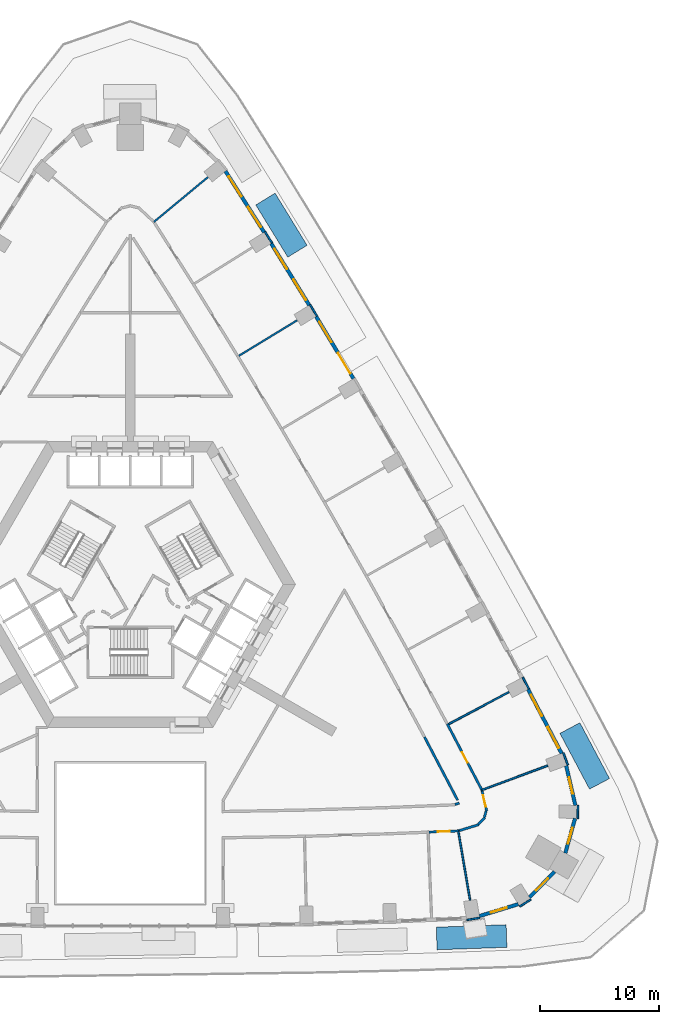
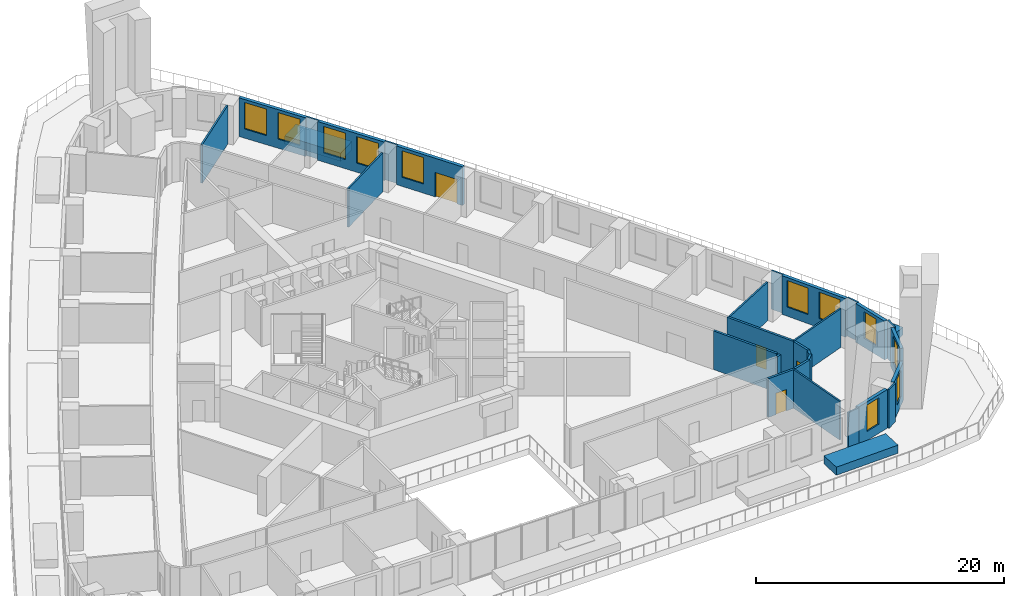
# One storey, part 11 of 16: 31 walls, 11 windows, 4 doors, 15 openings.
"""IFC4 building model written with IfcOpenShell, lengths in metres."""

import ifcopenshell
import ifcopenshell.guid

model = None  # the IFC model being written
_history = None  # IfcOwnerHistory: only IFC2X3 demands one
_inside = {}  # id of a spatial element -> (the spatial element, [elements in it])
_under = {}  # id of a project, library or spatial element -> (it, [spatial elements below it])
_declared = {}  # id of a project -> (the project, [libraries it declares])
_typed = {}  # id of a type object -> (the type object, [elements of that type])
_made_of = {}  # id of a material, layer set ... -> (it, [elements and type objects made of it])


def new_model(schema):
    """Start an empty IFC model of exactly this schema.

    Asked for "IFC4X3", IfcOpenShell would pick the latest addendum, in which some entities
    have other attributes; the version numbers below select the first issue.
    IFC2X3 requires an IfcOwnerHistory on every rooted entity: one is made here for all.
    """
    global model, _history
    if schema == "IFC4X3":
        model = ifcopenshell.file(schema_version=(4, 3, 0, 0))
    else:
        model = ifcopenshell.file(schema=schema)
    _inside.clear()
    _under.clear()
    _declared.clear()
    _typed.clear()
    _made_of.clear()
    _history = None
    if model.schema == "IFC2X3":
        org = make("IfcOrganization", Name="unknown")
        user = make(
            "IfcPersonAndOrganization",
            ThePerson=make("IfcPerson", FamilyName="unknown"),
            TheOrganization=org,
        )
        app = make(
            "IfcApplication",
            ApplicationDeveloper=org,
            Version="unknown",
            ApplicationFullName="unknown",
            ApplicationIdentifier="unknown",
        )
        _history = make(
            "IfcOwnerHistory",
            OwningUser=user,
            OwningApplication=app,
            ChangeAction="ADDED",
            CreationDate=0,
        )
    return model


def make(cls, **values):
    """One entity of the class cls with the attributes given. An attribute that is None is left unset."""
    return model.create_entity(
        cls, **{name: value for name, value in values.items() if value is not None}
    )


def rooted(cls, **values):
    """An entity with a GlobalId (a new one), such as an element, a storey or a relation."""
    return make(cls, GlobalId=ifcopenshell.guid.new(), OwnerHistory=_history, **values)


def si_unit(unit_type, name, prefix=None):
    """IfcSIUnit, for example si_unit("LENGTHUNIT", "METRE", prefix="MILLI")."""
    return make("IfcSIUnit", UnitType=unit_type, Prefix=prefix, Name=name)


def assignment(units):
    """IfcUnitAssignment: the units of a project."""
    return None if units is None else make("IfcUnitAssignment", Units=units)


def point(xyz):
    """IfcCartesianPoint."""
    return None if xyz is None else make("IfcCartesianPoint", Coordinates=xyz)


def direction(xyz):
    """IfcDirection."""
    return None if xyz is None else make("IfcDirection", DirectionRatios=xyz)


def frame(location, z_axis=None, x_axis=None):
    """IfcAxis2Placement3D, a coordinate frame: its origin and axes. An axis left out is left unset."""
    return make(
        "IfcAxis2Placement3D",
        Location=point(location),
        Axis=direction(z_axis),
        RefDirection=direction(x_axis),
    )


def frame_2d(location, x_axis=None):
    """IfcAxis2Placement2D, a coordinate frame in the plane: its origin and x axis."""
    return make(
        "IfcAxis2Placement2D", Location=point(location), RefDirection=direction(x_axis)
    )


def origin():
    """The frame at (0, 0, 0) with its axes left unset."""
    return frame((0.0, 0.0, 0.0))


def place(relative_to, where):
    """IfcLocalPlacement: puts the frame where relative to a parent placement (None: the world)."""
    return make(
        "IfcLocalPlacement", PlacementRelTo=relative_to, RelativePlacement=where
    )


def context(
    kind, dimensions, precision=None, world=None, true_north=None, identifier=None
):
    """IfcGeometricRepresentationContext, for example the 3D "Model" context."""
    return make(
        "IfcGeometricRepresentationContext",
        ContextIdentifier=identifier,
        ContextType=kind,
        CoordinateSpaceDimension=dimensions,
        Precision=precision,
        WorldCoordinateSystem=world,
        TrueNorth=true_north,
    )


def subcontext(parent, identifier, kind, view, scale=None):
    """IfcGeometricRepresentationSubContext, for example "Body" below "Model"."""
    return make(
        "IfcGeometricRepresentationSubContext",
        ContextIdentifier=identifier,
        ContextType=kind,
        ParentContext=parent,
        TargetScale=scale,
        TargetView=view,
    )


def project(units=None, contexts=None):
    """IfcProject with its units and contexts."""
    return rooted(
        "IfcProject",
        Name="project",
        RepresentationContexts=contexts,
        UnitsInContext=assignment(units),
    )


def spatial(cls, under=None, at=None, **own):
    """A site, building, storey or space (cls), placed at a placement, below another one or the project."""
    s = rooted(cls, ObjectPlacement=at, **own)
    if under is not None:
        _under.setdefault(under.id(), (under, []))[1].append(s)
    return s


def profile(cls, at=None, kind="AREA", **sizes):
    """A parametric profile (cls). Its sizes go by their IFC names, for example OverallWidth=200.0."""
    return make(cls, ProfileType=kind, Position=at, **sizes)


def rectangle(**sizes):
    """IfcRectangleProfileDef."""
    return profile("IfcRectangleProfileDef", **sizes)


def extrude(swept, where, along, depth):
    """IfcExtrudedAreaSolid: the profile swept, set in the frame where, extruded along a direction by depth."""
    return make(
        "IfcExtrudedAreaSolid",
        SweptArea=swept,
        Position=where,
        ExtrudedDirection=direction(along),
        Depth=depth,
    )


def shape(context_of_items, identifier, shape_type, items):
    """IfcShapeRepresentation: the items that make up one representation, for example the "Body"."""
    return make(
        "IfcShapeRepresentation",
        ContextOfItems=context_of_items,
        RepresentationIdentifier=identifier,
        RepresentationType=shape_type,
        Items=items,
    )


def material(Name=None, Category=None):
    """IfcMaterial."""
    return make("IfcMaterial", Name=Name, Category=Category)


def layer(
    of_material, thickness, ventilated=None, Name=None, Category=None, Priority=None
):
    """IfcMaterialLayer: one layer of a wall or slab, of a material (None: an air gap)."""
    return make(
        "IfcMaterialLayer",
        Material=of_material,
        LayerThickness=thickness,
        IsVentilated=ventilated,
        Name=Name,
        Category=Category,
        Priority=Priority,
    )


def layer_set(layers, Name=None):
    """IfcMaterialLayerSet."""
    return make("IfcMaterialLayerSet", MaterialLayers=layers, LayerSetName=Name)


def made_of(thing, what):
    """Note that an element or type object is made of a material, layer set ...; save() writes the relation."""
    if what is not None:
        _made_of.setdefault(what.id(), (what, []))[1].append(thing)
    return thing


def type_object(cls, material=None, **own):
    """A type object (cls), such as IfcWallType, which elements share."""
    return made_of(rooted(cls, **own), material)


def element(
    cls,
    number,
    at=None,
    inside=None,
    cuts=None,
    type_object=None,
    material=None,
    context=None,
    identifier="Body",
    shape_type=None,
    held_by="IfcProductDefinitionShape",
    body=None,
    shapes=None,
    **own,
):
    """One element of the class cls, such as IfcWall. Its Tag is "e" and its number.

    at: its placement. inside: the storey or other place that contains it. cuts: it is an
    opening in that element (IfcRelVoidsElement). A single representation is given by context,
    identifier, shape_type and body (its items); several are given by shapes. held_by: the class
    of the entity that holds the representations. save() writes the other relations.
    """
    e = rooted(cls, Tag="e%d" % number, ObjectPlacement=at, **own)
    if body is not None:
        shapes = [shape(context, identifier, shape_type, body)]
    if shapes is not None:
        e.Representation = make(held_by, Representations=shapes)
    if inside is not None:
        _inside.setdefault(inside.id(), (inside, []))[1].append(e)
    if cuts is not None:
        rooted(
            "IfcRelVoidsElement", RelatingBuildingElement=cuts, RelatedOpeningElement=e
        )
    if type_object is not None:
        _typed.setdefault(type_object.id(), (type_object, []))[1].append(e)
    return made_of(e, material)


def fill(opening, filler):
    """IfcRelFillsElement: the door or window that sits in an opening."""
    return rooted(
        "IfcRelFillsElement",
        RelatingOpeningElement=opening,
        RelatedBuildingElement=filler,
    )


def aggregate(whole, parts):
    """IfcRelAggregates: a whole, such as a stair, and the parts it consists of."""
    return rooted("IfcRelAggregates", RelatingObject=whole, RelatedObjects=parts)


def save(model, path):
    """Write the relations noted so far, then the file.

    IfcRelAggregates (storeys below a building ...), IfcRelContainedInSpatialStructure (elements
    in a storey), IfcRelDefinesByType, IfcRelAssociatesMaterial and IfcRelDeclares: one each for
    every whole, place, type object, material and project.
    """
    for whole, parts in _under.values():
        aggregate(whole, parts)
    for where, things in _inside.values():
        rooted(
            "IfcRelContainedInSpatialStructure",
            RelatedElements=things,
            RelatingStructure=where,
        )
    for kind, things in _typed.values():
        rooted("IfcRelDefinesByType", RelatedObjects=things, RelatingType=kind)
    for what, things in _made_of.values():
        rooted("IfcRelAssociatesMaterial", RelatedObjects=things, RelatingMaterial=what)
    for by, libraries in _declared.values():
        rooted("IfcRelDeclares", RelatingContext=by, RelatedDefinitions=libraries)
    model.write(path)


model = new_model("IFC4")

# Units and contexts
model_context = context("Model", 3, precision=1e-05, world=origin(), true_north=direction((0.0, 1.0)))
body_context = subcontext(model_context, "Body", "Model", "MODEL_VIEW")
ifc_project = project(units=[si_unit("LENGTHUNIT", "METRE"), si_unit("AREAUNIT", "SQUARE_METRE"), si_unit("VOLUMEUNIT", "CUBIC_METRE"), si_unit("PLANEANGLEUNIT", "RADIAN"), si_unit("MASSUNIT", "GRAM", prefix="KILO")], contexts=[model_context])

# Site, building, storey
site_placement = place(None, origin())
site = spatial("IfcSite", under=ifc_project, at=site_placement, CompositionType="ELEMENT")
building_placement = place(site_placement, origin())
building = spatial("IfcBuilding", under=site, at=building_placement, Name="Entoto Arch Interchange Tower", CompositionType="ELEMENT")
storey_placement = place(building_placement, frame((0.0, 0.0, 86.60009765625)))
storey = spatial("IfcBuildingStorey", under=building, at=storey_placement, Name="L18", CompositionType="ELEMENT", Elevation=86.60009765625)

# Walls
ifc_material_1 = material(Name="Gypsum board partition on steel studs", Category="steel")
ifc_layer_1 = layer(ifc_material_1, 0.14990234375)
ifc_layer_set_1 = layer_set([ifc_layer_1], Name="Gypsum board partition on steel studs")
wall_type_1 = type_object("IfcWallType", Name="PARTITION 150", PredefinedType="PARTITIONING", material=ifc_layer_set_1)
wall_1_placement = place(storey_placement, frame((27.49609375, -18.073974609375, 0.0), z_axis=(0.0, 0.0, 1.0), x_axis=(0.168025125373, -0.985782712997, 0.0)))
element("IfcWall", 1, at=wall_1_placement, inside=storey, type_object=wall_type_1, Name="wall:L18:p113", PredefinedType="PARTITIONING", context=body_context, shape_type="SweptSolid", body=[
    extrude(rectangle(XDim=5.9921875, YDim=0.14990234375, at=frame_2d((2.99609375, 0.0))), origin(), (0.0, 0.0, 1.0), 3.7998046875),
])
wall_2_placement = place(storey_placement, frame((29.493896484375, -14.740966796875, 0.0), z_axis=(0.0, 0.0, 1.0), x_axis=(0.937719767819, 0.347392626636, 0.0)))
element("IfcWall", 2, at=wall_2_placement, inside=storey, type_object=wall_type_1, Name="wall:L18:p114", PredefinedType="PARTITIONING", context=body_context, shape_type="SweptSolid", body=[
    extrude(rectangle(XDim=5.89208984375, YDim=0.14990234375, at=frame_2d((2.946044921875, 0.0))), origin(), (0.0, 0.0, 1.0), 3.7998046875),
])
wall_3_placement = place(storey_placement, frame((26.708984375, -9.2109375, 0.0), z_axis=(0.0, 0.0, 1.0), x_axis=(0.883057238515, 0.46926529118, 0.0)))
element("IfcWall", 3, at=wall_3_placement, inside=storey, type_object=wall_type_1, Name="wall:L18:p115", PredefinedType="PARTITIONING", context=body_context, shape_type="SweptSolid", body=[
    extrude(rectangle(XDim=5.730224609375, YDim=0.14990234375, at=frame_2d((2.865234375, 0.0))), origin(), (0.0, 0.0, 1.0), 3.7998046875),
])
wall_4_placement = place(storey_placement, frame((9.113037109375, 21.68408203125, 0.0), z_axis=(0.0, 0.0, 1.0), x_axis=(0.854075097122, 0.520149717367, 0.0)))
element("IfcWall", 4, at=wall_4_placement, inside=storey, type_object=wall_type_1, Name="wall:L18:p120", PredefinedType="PARTITIONING", context=body_context, shape_type="SweptSolid", body=[
    extrude(rectangle(XDim=5.72900390625, YDim=0.14990234375, at=frame_2d((2.864501953125, 0.0))), origin(), (0.0, 0.0, 1.0), 3.7998046875),
])
wall_5_placement = place(storey_placement, frame((1.98193359375, 32.9130859375, 0.0), z_axis=(0.0, 0.0, 1.0), x_axis=(0.769679976891, 0.638429896835, 0.0)))
element("IfcWall", 5, at=wall_5_placement, inside=storey, type_object=wall_type_1, Name="wall:L18:p122", PredefinedType="PARTITIONING", context=body_context, shape_type="SweptSolid", body=[
    extrude(rectangle(XDim=5.89111328125, YDim=0.14990234375, at=frame_2d((2.945556640625, 0.0))), origin(), (0.0, 0.0, 1.0), 3.7998046875),
])
ifc_layer_2 = layer(ifc_material_1, 0.199951171875)
ifc_layer_set_2 = layer_set([ifc_layer_2], Name="Gypsum board partition on steel studs")
wall_type_2 = type_object("IfcWallType", Name="PARTITION 200", PredefinedType="PARTITIONING", material=ifc_layer_set_2)
wall_6_placement = place(storey_placement, frame((27.235107421875, -15.95703125, 0.0), z_axis=(0.0, 0.0, 1.0), x_axis=(0.956017741345, 0.293308844453, 0.0)))
element("IfcWall", 6, at=wall_6_placement, inside=storey, type_object=wall_type_2, Name="wall:L18:p015", PredefinedType="PARTITIONING", context=body_context, shape_type="SweptSolid", body=[
    extrude(rectangle(XDim=0.37548828125, YDim=0.199951171875, at=frame_2d((0.187744140625, 0.0))), origin(), (0.0, 0.0, 1.0), 3.7998046875),
])
wall_7_placement = place(storey_placement, frame((27.4609375, -15.60009765625, 0.0), z_axis=(0.0, 0.0, 1.0), x_axis=(-0.464203280494, 0.885728691179, 0.0)))
element("IfcWall", 7, at=wall_7_placement, inside=storey, type_object=wall_type_2, Name="wall:L18:p016", PredefinedType="PARTITIONING", context=body_context, shape_type="SweptSolid", body=[
    extrude(rectangle(XDim=5.9951171875, YDim=0.199951171875, at=frame_2d((2.99755859375, 0.0))), origin(), (0.0, 0.0, 1.0), 3.7998046875),
])

# Wall, opening, door
wall_8_placement = place(storey_placement, frame((27.5380859375, -18.172119140625, 0.0), z_axis=(0.0, 0.0, 1.0), x_axis=(-0.999161261417, -0.040948427126, 0.0)))
wall_8 = element("IfcWall", 8, at=wall_8_placement, inside=storey, type_object=wall_type_2, Name="wall:L18:p034", PredefinedType="PARTITIONING", context=body_context, shape_type="SweptSolid", body=[
    extrude(rectangle(XDim=2.486328125, YDim=0.199951171875, at=frame_2d((1.2431640625, 0.0))), origin(), (0.0, 0.0, 1.0), 3.7998046875),
])
opening_1_placement = place(wall_8_placement, frame((0.742919921875, 0.0, 0.0)))
opening_1 = element("IfcOpeningElement", 9, at=opening_1_placement, cuts=wall_8, Name="Opening L18-D03", PredefinedType="OPENING", context=body_context, shape_type="SweptSolid", body=[
    extrude(rectangle(XDim=1.0, YDim=2.10009765625, at=frame_2d((0.5, 1.050048828125))), frame((0.0, 0.10986328125, 0.0), z_axis=(0.0, -1.0, 0.0), x_axis=(1.0, 0.0, 0.0)), (0.0, 0.0, 1.0), 0.219970703125),
])
ifc_material_2 = material(Name="Timber door leaf in Steel S235 frame", Category="steel")
door_type_1 = type_object("IfcDoorType", Name="DOOR DS-10 1000x2100", OperationType="SINGLE_SWING_LEFT", PredefinedType="DOOR", material=ifc_material_2)
door_1_placement = place(opening_1_placement, origin())
door_1 = element("IfcDoor", 10, at=door_1_placement, inside=storey, type_object=door_type_1, Name="door:L18:03", OperationType="SINGLE_SWING_LEFT", OverallHeight=2.10009765625, OverallWidth=1.0, PredefinedType="DOOR", context=body_context, shape_type="SweptSolid", body=[
    extrude(rectangle(XDim=1.0, YDim=2.10009765625, at=frame_2d((0.5, 1.050048828125))), frame((0.0, 0.02490234375, 0.0), z_axis=(0.0, -1.0, 0.0), x_axis=(1.0, 0.0, 0.0)), (0.0, 0.0, 1.0), 0.050048828125),
])
fill(opening_1, door_1)

wall_9_placement = place(storey_placement, frame((29.51708984375, -14.837890625, 0.0), z_axis=(0.0, 0.0, 1.0), x_axis=(0.224316169854, -0.974516421587, 0.0)))
wall_9 = element("IfcWall", 11, at=wall_9_placement, inside=storey, type_object=wall_type_2, Name="wall:L18:p035", PredefinedType="PARTITIONING", context=body_context, shape_type="SweptSolid", body=[
    extrude(rectangle(XDim=1.70654296875, YDim=0.199951171875, at=frame_2d((0.853271484375, 0.0))), origin(), (0.0, 0.0, 1.0), 3.7998046875),
])
opening_2_placement = place(wall_9_placement, frame((0.35302734375, 0.0, 0.0)))
opening_2 = element("IfcOpeningElement", 12, at=opening_2_placement, cuts=wall_9, Name="Opening L18-D04", PredefinedType="OPENING", context=body_context, shape_type="SweptSolid", body=[
    extrude(rectangle(XDim=1.0, YDim=2.10009765625, at=frame_2d((0.5, 1.050048828125))), frame((0.0, 0.10986328125, 0.0), z_axis=(0.0, -1.0, 0.0), x_axis=(1.0, 0.0, 0.0)), (0.0, 0.0, 1.0), 0.219970703125),
])
door_2_placement = place(opening_2_placement, origin())
door_2 = element("IfcDoor", 13, at=door_2_placement, inside=storey, type_object=door_type_1, Name="door:L18:04", OperationType="SINGLE_SWING_RIGHT", OverallHeight=2.10009765625, OverallWidth=1.0, PredefinedType="DOOR", context=body_context, shape_type="SweptSolid", body=[
    extrude(rectangle(XDim=1.0, YDim=2.10009765625, at=frame_2d((0.5, 1.050048828125))), frame((0.0, 0.02490234375, 0.0), z_axis=(0.0, -1.0, 0.0), x_axis=(1.0, 0.0, 0.0)), (0.0, 0.0, 1.0), 0.050048828125),
])
fill(opening_2, door_2)

# Walls
wall_10_placement = place(storey_placement, frame((29.85107421875, -16.5, 0.0), z_axis=(0.0, 0.0, 1.0), x_axis=(-0.269792639482, -0.962918444979, 0.0)))
element("IfcWall", 14, at=wall_10_placement, inside=storey, type_object=wall_type_2, Name="wall:L18:p036", PredefinedType="PARTITIONING", context=body_context, shape_type="SweptSolid", body=[
    extrude(rectangle(XDim=0.556640625, YDim=0.199951171875, at=frame_2d((0.2783203125, 0.0))), origin(), (0.0, 0.0, 1.0), 3.7998046875),
])
wall_11_placement = place(storey_placement, frame((29.742919921875, -17.06103515625, 0.0), z_axis=(0.0, 0.0, 1.0), x_axis=(-0.698331924638, -0.715774072617, 0.0)))
element("IfcWall", 15, at=wall_11_placement, inside=storey, type_object=wall_type_2, Name="wall:L18:p037", PredefinedType="PARTITIONING", context=body_context, shape_type="SweptSolid", body=[
    extrude(rectangle(XDim=0.755859375, YDim=0.199951171875, at=frame_2d((0.3779296875, 0.0))), origin(), (0.0, 0.0, 1.0), 3.7998046875),
])
wall_12_placement = place(storey_placement, frame((29.239990234375, -17.64404296875, 0.0), z_axis=(0.0, 0.0, 1.0), x_axis=(-0.956137025409, -0.292919764852, 0.0)))
element("IfcWall", 16, at=wall_12_placement, inside=storey, type_object=wall_type_2, Name="wall:L18:p038", PredefinedType="PARTITIONING", context=body_context, shape_type="SweptSolid", body=[
    extrude(rectangle(XDim=1.70703125, YDim=0.199951171875, at=frame_2d((0.853515625, 0.0))), origin(), (0.0, 0.0, 1.0), 3.7998046875),
])

# Wall, opening, door
wall_13_placement = place(storey_placement, frame((26.5859375, -9.19091796875, 0.0), z_axis=(0.0, 0.0, 1.0), x_axis=(0.46422194761, -0.885718907643, 0.0)))
wall_13 = element("IfcWall", 17, at=wall_13_placement, inside=storey, type_object=wall_type_2, Name="wall:L18:p039", PredefinedType="PARTITIONING", context=body_context, shape_type="SweptSolid", body=[
    extrude(rectangle(XDim=6.36572265625, YDim=0.199951171875, at=frame_2d((3.182861328125, 0.0))), origin(), (0.0, 0.0, 1.0), 3.7998046875),
])
opening_3_placement = place(wall_13_placement, frame((2.68310546875, 0.0, 0.0)))
opening_3 = element("IfcOpeningElement", 18, at=opening_3_placement, cuts=wall_13, Name="Opening L18-D05", PredefinedType="OPENING", context=body_context, shape_type="SweptSolid", body=[
    extrude(rectangle(XDim=1.0, YDim=2.10009765625, at=frame_2d((0.5, 1.050048828125))), frame((0.0, 0.10986328125, 0.0), z_axis=(0.0, -1.0, 0.0), x_axis=(1.0, 0.0, 0.0)), (0.0, 0.0, 1.0), 0.219970703125),
])
door_3_placement = place(opening_3_placement, origin())
door_3 = element("IfcDoor", 19, at=door_3_placement, inside=storey, type_object=door_type_1, Name="door:L18:05", OperationType="SINGLE_SWING_LEFT", OverallHeight=2.10009765625, OverallWidth=1.0, PredefinedType="DOOR", context=body_context, shape_type="SweptSolid", body=[
    extrude(rectangle(XDim=1.0, YDim=2.10009765625, at=frame_2d((0.5, 1.050048828125))), frame((0.0, 0.02490234375, 0.0), z_axis=(0.0, -1.0, 0.0), x_axis=(1.0, 0.0, 0.0)), (0.0, 0.0, 1.0), 0.050048828125),
])
fill(opening_3, door_3)

# Walls
ifc_material_3 = material(Name="Board-marked precast concrete C50/60", Category="concrete")
ifc_layer_3 = layer(ifc_material_3, 1.89990234375)
ifc_layer_set_3 = layer_set([ifc_layer_3], Name="Board-marked precast concrete C50/60")
wall_type_3 = type_object("IfcWallType", Name="PLANTER RC 1900 Afrocarpus falcatus", PredefinedType="STANDARD", material=ifc_layer_set_3)
wall_14_placement = place(storey_placement, frame((39.362060546875, -14.22412109375, 0.0), z_axis=(0.0, 0.0, 1.0), x_axis=(-0.468973311577, 0.883212337453, 0.0)))
element("IfcWall", 20, at=wall_14_placement, inside=storey, type_object=wall_type_3, Name="Terrace planter NE-01 L18", PredefinedType="STANDARD", context=body_context, shape_type="SweptSolid", body=[
    extrude(rectangle(XDim=5.299072265625, YDim=1.89990234375, at=frame_2d((2.6494140625, 0.0))), origin(), (0.0, 0.0, 1.0), 0.7998046875),
])
ifc_layer_4 = layer(ifc_material_3, 1.89990234375)
ifc_layer_set_4 = layer_set([ifc_layer_4], Name="Board-marked precast concrete C50/60")
wall_type_4 = type_object("IfcWallType", Name="PLANTER RC 1900 Hagenia abyssinica", PredefinedType="STANDARD", material=ifc_layer_set_4)
wall_15_placement = place(storey_placement, frame((25.701904296875, -27.195068359375, 0.0), z_axis=(0.0, 0.0, 1.0), x_axis=(0.999399802094, 0.034641529615, 0.0)))
element("IfcWall", 21, at=wall_15_placement, inside=storey, type_object=wall_type_4, Name="Terrace planter S-07 L18", PredefinedType="STANDARD", context=body_context, shape_type="SweptSolid", body=[
    extrude(rectangle(XDim=5.863525390625, YDim=1.89990234375, at=frame_2d((2.931640625, 0.0))), origin(), (0.0, 0.0, 1.0), 0.7998046875),
])
ifc_layer_5 = layer(ifc_material_3, 1.89990234375)
ifc_layer_set_5 = layer_set([ifc_layer_5], Name="Board-marked precast concrete C50/60")
wall_type_5 = type_object("IfcWallType", Name="PLANTER RC 1900 Vachellia abyssinica", PredefinedType="STANDARD", material=ifc_layer_set_5)
wall_16_placement = place(storey_placement, frame((14.02099609375, 30.452880859375, 0.0), z_axis=(0.0, 0.0, 1.0), x_axis=(-0.522743786252, 0.852489843889, 0.0)))
element("IfcWall", 22, at=wall_16_placement, inside=storey, type_object=wall_type_5, Name="Terrace planter NE-08 L18", PredefinedType="STANDARD", context=body_context, shape_type="SweptSolid", body=[
    extrude(rectangle(XDim=5.134521484375, YDim=1.89990234375, at=frame_2d((2.5673828125, 0.0))), origin(), (0.0, 0.0, 1.0), 0.7998046875),
])

# Wall, opening, window
ifc_material_4 = material(Name="Welded tuff (ignimbrite) cladding, warm buff", Category="masonry")
ifc_layer_6 = layer(ifc_material_4, 0.300048828125)
ifc_layer_set_6 = layer_set([ifc_layer_6], Name="Welded tuff (ignimbrite) cladding, warm buff")
wall_type_6 = type_object("IfcWallType", Name="STONE INFILL WALL 300", PredefinedType="STANDARD", material=ifc_layer_set_6)
wall_17_placement = place(storey_placement, frame((29.2880859375, -25.31591796875, 0.0), z_axis=(0.0, 0.0, 1.0), x_axis=(0.956317661006, 0.292329490895, 0.0)))
wall_17 = element("IfcWall", 23, at=wall_17_placement, inside=storey, type_object=wall_type_6, Name="Facade wall SE-01 L18", PredefinedType="STANDARD", context=body_context, shape_type="SweptSolid", body=[
    extrude(rectangle(XDim=3.409912109375, YDim=0.300048828125, at=frame_2d((1.705078125, 0.0))), origin(), (0.0, 0.0, 1.0), 3.7998046875),
])
opening_4_placement = place(wall_17_placement, frame((1.0048828125, 0.0, 0.89990234375)))
opening_4 = element("IfcOpeningElement", 24, at=opening_4_placement, cuts=wall_17, Name="Opening WO-B", PredefinedType="OPENING", context=body_context, shape_type="SweptSolid", body=[
    extrude(rectangle(XDim=1.39990234375, YDim=2.60009765625, at=frame_2d((0.699951171875, 1.300048828125))), frame((0.0, 0.16015625, 0.0), z_axis=(0.0, -1.0, 0.0), x_axis=(1.0, 0.0, 0.0)), (0.0, 0.0, 1.0), 0.320068359375),
])
ifc_material_5 = material(Name="Clear glass, low-e double glazed", Category="glass")
window_type_1 = type_object("IfcWindowType", Name="WINDOW WO-B 1400x2600", PartitioningType="DOUBLE_PANEL_VERTICAL", PredefinedType="WINDOW", material=ifc_material_5)
window_1_placement = place(opening_4_placement, origin())
window_1 = element("IfcWindow", 25, at=window_1_placement, inside=storey, type_object=window_type_1, Name="Window WO-B SE-01 L18", OverallHeight=2.60009765625, OverallWidth=1.39990234375, PartitioningType="SINGLE_PANEL", PredefinedType="WINDOW", context=body_context, shape_type="SweptSolid", body=[
    extrude(rectangle(XDim=1.39990234375, YDim=2.60009765625, at=frame_2d((0.699951171875, 1.300048828125))), frame((0.0, 0.030029296875, 0.0), z_axis=(0.0, -1.0, 0.0), x_axis=(1.0, 0.0, 0.0)), (0.0, 0.0, 1.0), 0.06005859375),
])
fill(opening_4, window_1)

wall_18_placement = place(storey_placement, frame((33.486083984375, -23.7470703125, 0.0), z_axis=(0.0, 0.0, 1.0), x_axis=(0.698928244773, 0.715191798512, 0.0)))
wall_18 = element("IfcWall", 26, at=wall_18_placement, inside=storey, type_object=wall_type_6, Name="Facade wall SE-02 L18", PredefinedType="STANDARD", context=body_context, shape_type="SweptSolid", body=[
    extrude(rectangle(XDim=3.017333984375, YDim=0.300048828125, at=frame_2d((1.5087890625, 0.0))), origin(), (0.0, 0.0, 1.0), 3.7998046875),
])
opening_5_placement = place(wall_18_placement, frame((0.80908203125, 0.0, 0.89990234375)))
opening_5 = element("IfcOpeningElement", 27, at=opening_5_placement, cuts=wall_18, Name="Opening WO-B", PredefinedType="OPENING", context=body_context, shape_type="SweptSolid", body=[
    extrude(rectangle(XDim=1.39990234375, YDim=2.60009765625, at=frame_2d((0.699951171875, 1.300048828125))), frame((0.0, 0.16015625, 0.0), z_axis=(0.0, -1.0, 0.0), x_axis=(1.0, 0.0, 0.0)), (0.0, 0.0, 1.0), 0.320068359375),
])
window_2_placement = place(opening_5_placement, origin())
window_2 = element("IfcWindow", 28, at=window_2_placement, inside=storey, type_object=window_type_1, Name="Window WO-B SE-02 L18", OverallHeight=2.60009765625, OverallWidth=1.39990234375, PartitioningType="SINGLE_PANEL", PredefinedType="WINDOW", context=body_context, shape_type="SweptSolid", body=[
    extrude(rectangle(XDim=1.39990234375, YDim=2.60009765625, at=frame_2d((0.699951171875, 1.300048828125))), frame((0.0, 0.030029296875, 0.0), z_axis=(0.0, -1.0, 0.0), x_axis=(1.0, 0.0, 0.0)), (0.0, 0.0, 1.0), 0.06005859375),
])
fill(opening_5, window_2)

wall_19_placement = place(storey_placement, frame((36.493896484375, -20.031982421875, 0.0), z_axis=(0.0, 0.0, 1.0), x_axis=(0.270176120308, 0.962810918102, 0.0)))
wall_19 = element("IfcWall", 29, at=wall_19_placement, inside=storey, type_object=wall_type_6, Name="Facade wall SE-03 L18", PredefinedType="STANDARD", context=body_context, shape_type="SweptSolid", body=[
    extrude(rectangle(XDim=3.017333984375, YDim=0.300048828125, at=frame_2d((1.5087890625, 0.0))), origin(), (0.0, 0.0, 1.0), 3.7998046875),
])
opening_6_placement = place(wall_19_placement, frame((0.80908203125, 0.0, 0.89990234375)))
opening_6 = element("IfcOpeningElement", 30, at=opening_6_placement, cuts=wall_19, Name="Opening WO-B", PredefinedType="OPENING", context=body_context, shape_type="SweptSolid", body=[
    extrude(rectangle(XDim=1.39990234375, YDim=2.60009765625, at=frame_2d((0.699951171875, 1.300048828125))), frame((0.0, 0.16015625, 0.0), z_axis=(0.0, -1.0, 0.0), x_axis=(1.0, 0.0, 0.0)), (0.0, 0.0, 1.0), 0.320068359375),
])
window_3_placement = place(opening_6_placement, origin())
window_3 = element("IfcWindow", 31, at=window_3_placement, inside=storey, type_object=window_type_1, Name="Window WO-B SE-03 L18", OverallHeight=2.60009765625, OverallWidth=1.39990234375, PartitioningType="SINGLE_PANEL", PredefinedType="WINDOW", context=body_context, shape_type="SweptSolid", body=[
    extrude(rectangle(XDim=1.39990234375, YDim=2.60009765625, at=frame_2d((0.699951171875, 1.300048828125))), frame((0.0, 0.030029296875, 0.0), z_axis=(0.0, -1.0, 0.0), x_axis=(1.0, 0.0, 0.0)), (0.0, 0.0, 1.0), 0.06005859375),
])
fill(opening_6, window_3)

wall_20_placement = place(storey_placement, frame((37.3349609375, -16.029052734375, 0.0), z_axis=(0.0, 0.0, 1.0), x_axis=(-0.224859506699, 0.974391195695, 0.0)))
wall_20 = element("IfcWall", 32, at=wall_20_placement, inside=storey, type_object=wall_type_6, Name="Facade wall SE-04 L18", PredefinedType="STANDARD", context=body_context, shape_type="SweptSolid", body=[
    extrude(rectangle(XDim=3.410400390625, YDim=0.300048828125, at=frame_2d((1.705078125, 0.0))), origin(), (0.0, 0.0, 1.0), 3.7998046875),
])
opening_7_placement = place(wall_20_placement, frame((1.0048828125, 0.0, 0.89990234375)))
opening_7 = element("IfcOpeningElement", 33, at=opening_7_placement, cuts=wall_20, Name="Opening WO-B", PredefinedType="OPENING", context=body_context, shape_type="SweptSolid", body=[
    extrude(rectangle(XDim=1.39990234375, YDim=2.60009765625, at=frame_2d((0.699951171875, 1.300048828125))), frame((0.0, 0.16015625, 0.0), z_axis=(0.0, -1.0, 0.0), x_axis=(1.0, 0.0, 0.0)), (0.0, 0.0, 1.0), 0.320068359375),
])
window_4_placement = place(opening_7_placement, origin())
window_4 = element("IfcWindow", 34, at=window_4_placement, inside=storey, type_object=window_type_1, Name="Window WO-B SE-04 L18", OverallHeight=2.60009765625, OverallWidth=1.39990234375, PartitioningType="SINGLE_PANEL", PredefinedType="WINDOW", context=body_context, shape_type="SweptSolid", body=[
    extrude(rectangle(XDim=1.39990234375, YDim=2.60009765625, at=frame_2d((0.699951171875, 1.300048828125))), frame((0.0, 0.030029296875, 0.0), z_axis=(0.0, -1.0, 0.0), x_axis=(1.0, 0.0, 0.0)), (0.0, 0.0, 1.0), 0.06005859375),
])
fill(opening_7, window_4)

# Wall, openings, windows
wall_21_placement = place(storey_placement, frame((36.18603515625, -11.676025390625, 0.0), z_axis=(0.0, 0.0, 1.0), x_axis=(-0.464187178015, 0.885737130173, 0.0)))
wall_21 = element("IfcWall", 35, at=wall_21_placement, inside=storey, type_object=wall_type_6, Name="Facade wall NE-01 L18", PredefinedType="STANDARD", context=body_context, shape_type="SweptSolid", body=[
    extrude(rectangle(XDim=6.0751953125, YDim=0.300048828125, at=frame_2d((3.03759765625, 0.0))), origin(), (0.0, 0.0, 1.0), 3.7998046875),
])
opening_8_placement = place(wall_21_placement, frame((0.51904296875, 0.0, 0.89990234375)))
opening_8 = element("IfcOpeningElement", 36, at=opening_8_placement, cuts=wall_21, Name="Opening WO-C", PredefinedType="OPENING", context=body_context, shape_type="SweptSolid", body=[
    extrude(rectangle(XDim=2.0, YDim=2.60009765625, at=frame_2d((1.0, 1.300048828125))), frame((0.0, 0.16015625, 0.0), z_axis=(0.0, -1.0, 0.0), x_axis=(1.0, 0.0, 0.0)), (0.0, 0.0, 1.0), 0.320068359375),
])
opening_9_placement = place(wall_21_placement, frame((3.555908203125, 0.0, 0.89990234375)))
opening_9 = element("IfcOpeningElement", 37, at=opening_9_placement, cuts=wall_21, Name="Opening WO-C", PredefinedType="OPENING", context=body_context, shape_type="SweptSolid", body=[
    extrude(rectangle(XDim=2.0, YDim=2.60009765625, at=frame_2d((1.0, 1.300048828125))), frame((0.0, 0.16015625, 0.0), z_axis=(0.0, -1.0, 0.0), x_axis=(1.0, 0.0, 0.0)), (0.0, 0.0, 1.0), 0.320068359375),
])
window_type_2 = type_object("IfcWindowType", Name="WINDOW WO-C 2000x2600", PartitioningType="DOUBLE_PANEL_VERTICAL", PredefinedType="WINDOW", material=ifc_material_5)
window_5_placement = place(opening_8_placement, origin())
window_5 = element("IfcWindow", 38, at=window_5_placement, inside=storey, type_object=window_type_2, Name="Window WO-C NE-01 L18", OverallHeight=2.60009765625, OverallWidth=2.0, PartitioningType="SINGLE_PANEL", PredefinedType="WINDOW", context=body_context, shape_type="SweptSolid", body=[
    extrude(rectangle(XDim=2.0, YDim=2.60009765625, at=frame_2d((1.0, 1.300048828125))), frame((0.0, 0.030029296875, 0.0), z_axis=(0.0, -1.0, 0.0), x_axis=(1.0, 0.0, 0.0)), (0.0, 0.0, 1.0), 0.06005859375),
])
fill(opening_8, window_5)
window_6_placement = place(opening_9_placement, origin())
window_6 = element("IfcWindow", 39, at=window_6_placement, inside=storey, type_object=window_type_2, Name="Window WO-C NE-01 L18", OverallHeight=2.60009765625, OverallWidth=2.0, PartitioningType="SINGLE_PANEL", PredefinedType="WINDOW", context=body_context, shape_type="SweptSolid", body=[
    extrude(rectangle(XDim=2.0, YDim=2.60009765625, at=frame_2d((1.0, 1.300048828125))), frame((0.0, 0.030029296875, 0.0), z_axis=(0.0, -1.0, 0.0), x_axis=(1.0, 0.0, 0.0)), (0.0, 0.0, 1.0), 0.06005859375),
])
fill(opening_9, window_6)

# Wall, openings, door, window
wall_22_placement = place(storey_placement, frame((18.72900390625, 19.757080078125, 0.0), z_axis=(0.0, 0.0, 1.0), x_axis=(-0.515102053092, 0.857128855483, 0.0)))
wall_22 = element("IfcWall", 40, at=wall_22_placement, inside=storey, type_object=wall_type_6, Name="Facade wall NE-06 L18", PredefinedType="STANDARD", context=body_context, shape_type="SweptSolid", body=[
    extrude(rectangle(XDim=6.09814453125, YDim=0.300048828125, at=frame_2d((3.049072265625, 0.0))), origin(), (0.0, 0.0, 1.0), 3.7998046875),
])
opening_10_placement = place(wall_22_placement, frame((0.52490234375, 0.0, 0.0)))
opening_10 = element("IfcOpeningElement", 41, at=opening_10_placement, cuts=wall_22, Name="Opening DT-NE-06-L18", PredefinedType="OPENING", context=body_context, shape_type="SweptSolid", body=[
    extrude(rectangle(XDim=2.0, YDim=2.39990234375, at=frame_2d((1.0, 1.199951171875))), frame((0.0, 0.16015625, 0.0), z_axis=(0.0, -1.0, 0.0), x_axis=(1.0, 0.0, 0.0)), (0.0, 0.0, 1.0), 0.320068359375),
])
opening_11_placement = place(wall_22_placement, frame((3.573974609375, 0.0, 0.89990234375)))
opening_11 = element("IfcOpeningElement", 42, at=opening_11_placement, cuts=wall_22, Name="Opening WO-C", PredefinedType="OPENING", context=body_context, shape_type="SweptSolid", body=[
    extrude(rectangle(XDim=2.0, YDim=2.60009765625, at=frame_2d((1.0, 1.300048828125))), frame((0.0, 0.16015625, 0.0), z_axis=(0.0, -1.0, 0.0), x_axis=(1.0, 0.0, 0.0)), (0.0, 0.0, 1.0), 0.320068359375),
])
ifc_material_6 = material(Name="Aluminium and clear glass, anodised", Category="aluminium")
door_type_2 = type_object("IfcDoorType", Name="TERRACE DOOR DT 2000x2400", OperationType="SLIDING_TO_LEFT", PredefinedType="DOOR", material=ifc_material_6)
door_4_placement = place(opening_10_placement, origin())
door_4 = element("IfcDoor", 43, at=door_4_placement, inside=storey, type_object=door_type_2, Name="Terrace door NE-06 L18", OperationType="SLIDING_TO_LEFT", OverallHeight=2.39990234375, OverallWidth=2.0, PredefinedType="DOOR", context=body_context, shape_type="SweptSolid", body=[
    extrude(rectangle(XDim=2.0, YDim=2.39990234375, at=frame_2d((1.0, 1.199951171875))), frame((0.0, 0.02490234375, 0.0), z_axis=(0.0, -1.0, 0.0), x_axis=(1.0, 0.0, 0.0)), (0.0, 0.0, 1.0), 0.050048828125),
])
fill(opening_10, door_4)
window_7_placement = place(opening_11_placement, origin())
window_7 = element("IfcWindow", 44, at=window_7_placement, inside=storey, type_object=window_type_2, Name="Window WO-C NE-06 L18", OverallHeight=2.60009765625, OverallWidth=2.0, PartitioningType="SINGLE_PANEL", PredefinedType="WINDOW", context=body_context, shape_type="SweptSolid", body=[
    extrude(rectangle(XDim=2.0, YDim=2.60009765625, at=frame_2d((1.0, 1.300048828125))), frame((0.0, 0.030029296875, 0.0), z_axis=(0.0, -1.0, 0.0), x_axis=(1.0, 0.0, 0.0)), (0.0, 0.0, 1.0), 0.06005859375),
])
fill(opening_11, window_7)

# Wall, openings, windows
wall_23_placement = place(storey_placement, frame((15.01708984375, 25.922119140625, 0.0), z_axis=(0.0, 0.0, 1.0), x_axis=(-0.525204788886, 0.850975869065, 0.0)))
wall_23 = element("IfcWall", 45, at=wall_23_placement, inside=storey, type_object=wall_type_6, Name="Facade wall NE-07 L18", PredefinedType="STANDARD", context=body_context, shape_type="SweptSolid", body=[
    extrude(rectangle(XDim=6.098876953125, YDim=0.300048828125, at=frame_2d((3.04931640625, 0.0))), origin(), (0.0, 0.0, 1.0), 3.7998046875),
])
opening_12_placement = place(wall_23_placement, frame((0.52490234375, 0.0, 0.89990234375)))
opening_12 = element("IfcOpeningElement", 46, at=opening_12_placement, cuts=wall_23, Name="Opening WO-C", PredefinedType="OPENING", context=body_context, shape_type="SweptSolid", body=[
    extrude(rectangle(XDim=2.0, YDim=2.60009765625, at=frame_2d((1.0, 1.300048828125))), frame((0.0, 0.16015625, 0.0), z_axis=(0.0, -1.0, 0.0), x_axis=(1.0, 0.0, 0.0)), (0.0, 0.0, 1.0), 0.320068359375),
])
opening_13_placement = place(wall_23_placement, frame((3.573974609375, 0.0, 0.89990234375)))
opening_13 = element("IfcOpeningElement", 47, at=opening_13_placement, cuts=wall_23, Name="Opening WO-C", PredefinedType="OPENING", context=body_context, shape_type="SweptSolid", body=[
    extrude(rectangle(XDim=2.0, YDim=2.60009765625, at=frame_2d((1.0, 1.300048828125))), frame((0.0, 0.16015625, 0.0), z_axis=(0.0, -1.0, 0.0), x_axis=(1.0, 0.0, 0.0)), (0.0, 0.0, 1.0), 0.320068359375),
])
window_8_placement = place(opening_12_placement, origin())
window_8 = element("IfcWindow", 48, at=window_8_placement, inside=storey, type_object=window_type_2, Name="Window WO-C NE-07 L18", OverallHeight=2.60009765625, OverallWidth=2.0, PartitioningType="SINGLE_PANEL", PredefinedType="WINDOW", context=body_context, shape_type="SweptSolid", body=[
    extrude(rectangle(XDim=2.0, YDim=2.60009765625, at=frame_2d((1.0, 1.300048828125))), frame((0.0, 0.030029296875, 0.0), z_axis=(0.0, -1.0, 0.0), x_axis=(1.0, 0.0, 0.0)), (0.0, 0.0, 1.0), 0.06005859375),
])
fill(opening_12, window_8)
window_9_placement = place(opening_13_placement, origin())
window_9 = element("IfcWindow", 49, at=window_9_placement, inside=storey, type_object=window_type_2, Name="Window WO-C NE-07 L18", OverallHeight=2.60009765625, OverallWidth=2.0, PartitioningType="SINGLE_PANEL", PredefinedType="WINDOW", context=body_context, shape_type="SweptSolid", body=[
    extrude(rectangle(XDim=2.0, YDim=2.60009765625, at=frame_2d((1.0, 1.300048828125))), frame((0.0, 0.030029296875, 0.0), z_axis=(0.0, -1.0, 0.0), x_axis=(1.0, 0.0, 0.0)), (0.0, 0.0, 1.0), 0.06005859375),
])
fill(opening_13, window_9)

wall_24_placement = place(storey_placement, frame((11.23193359375, 32.04296875, 0.0), z_axis=(0.0, 0.0, 1.0), x_axis=(-0.534869492536, 0.84493468739, 0.0)))
wall_24 = element("IfcWall", 50, at=wall_24_placement, inside=storey, type_object=wall_type_6, Name="Facade wall NE-08 L18", PredefinedType="STANDARD", context=body_context, shape_type="SweptSolid", body=[
    extrude(rectangle(XDim=6.076171875, YDim=0.300048828125, at=frame_2d((3.0380859375, 0.0))), origin(), (0.0, 0.0, 1.0), 3.7998046875),
])
opening_14_placement = place(wall_24_placement, frame((0.51904296875, 0.0, 0.89990234375)))
opening_14 = element("IfcOpeningElement", 51, at=opening_14_placement, cuts=wall_24, Name="Opening WO-C", PredefinedType="OPENING", context=body_context, shape_type="SweptSolid", body=[
    extrude(rectangle(XDim=2.0, YDim=2.60009765625, at=frame_2d((1.0, 1.300048828125))), frame((0.0, 0.16015625, 0.0), z_axis=(0.0, -1.0, 0.0), x_axis=(1.0, 0.0, 0.0)), (0.0, 0.0, 1.0), 0.320068359375),
])
opening_15_placement = place(wall_24_placement, frame((3.556884765625, 0.0, 0.89990234375)))
opening_15 = element("IfcOpeningElement", 52, at=opening_15_placement, cuts=wall_24, Name="Opening WO-C", PredefinedType="OPENING", context=body_context, shape_type="SweptSolid", body=[
    extrude(rectangle(XDim=2.0, YDim=2.60009765625, at=frame_2d((1.0, 1.300048828125))), frame((0.0, 0.16015625, 0.0), z_axis=(0.0, -1.0, 0.0), x_axis=(1.0, 0.0, 0.0)), (0.0, 0.0, 1.0), 0.320068359375),
])
window_10_placement = place(opening_14_placement, origin())
window_10 = element("IfcWindow", 53, at=window_10_placement, inside=storey, type_object=window_type_2, Name="Window WO-C NE-08 L18", OverallHeight=2.60009765625, OverallWidth=2.0, PartitioningType="SINGLE_PANEL", PredefinedType="WINDOW", context=body_context, shape_type="SweptSolid", body=[
    extrude(rectangle(XDim=2.0, YDim=2.60009765625, at=frame_2d((1.0, 1.300048828125))), frame((0.0, 0.030029296875, 0.0), z_axis=(0.0, -1.0, 0.0), x_axis=(1.0, 0.0, 0.0)), (0.0, 0.0, 1.0), 0.06005859375),
])
fill(opening_14, window_10)
window_11_placement = place(opening_15_placement, origin())
window_11 = element("IfcWindow", 54, at=window_11_placement, inside=storey, type_object=window_type_2, Name="Window WO-C NE-08 L18", OverallHeight=2.60009765625, OverallWidth=2.0, PartitioningType="SINGLE_PANEL", PredefinedType="WINDOW", context=body_context, shape_type="SweptSolid", body=[
    extrude(rectangle(XDim=2.0, YDim=2.60009765625, at=frame_2d((1.0, 1.300048828125))), frame((0.0, 0.030029296875, 0.0), z_axis=(0.0, -1.0, 0.0), x_axis=(1.0, 0.0, 0.0)), (0.0, 0.0, 1.0), 0.06005859375),
])
fill(opening_15, window_11)

# Walls
ifc_layer_7 = layer(ifc_material_4, 0.14990234375)
ifc_layer_set_7 = layer_set([ifc_layer_7], Name="Welded tuff (ignimbrite) cladding, warm buff")
wall_type_7 = type_object("IfcWallType", Name="STONE PIER CLADDING 150", PredefinedType="STANDARD", material=ifc_layer_set_7)
wall_25_placement = place(storey_placement, frame((36.7060546875, -12.656005859375, 0.0), z_axis=(0.0, 0.0, 1.0), x_axis=(-0.347205967468, 0.937788897436, 0.0)))
element("IfcWall", 55, at=wall_25_placement, inside=storey, type_object=wall_type_7, Name="Stone pier NE01 L18", PredefinedType="STANDARD", context=body_context, shape_type="SweptSolid", body=[
    extrude(rectangle(XDim=1.100341796875, YDim=0.14990234375, at=frame_2d((0.55029296875, 0.0))), origin(), (0.0, 0.0, 1.0), 3.7998046875),
])
wall_26_placement = place(storey_placement, frame((33.43603515625, -6.259033203125, 0.0), z_axis=(0.0, 0.0, 1.0), x_axis=(-0.469366248657, 0.883003581319, 0.0)))
element("IfcWall", 56, at=wall_26_placement, inside=storey, type_object=wall_type_7, Name="Stone pier NE02 L18", PredefinedType="STANDARD", context=body_context, shape_type="SweptSolid", body=[
    extrude(rectangle(XDim=1.099609375, YDim=0.14990234375, at=frame_2d((0.5498046875, 0.0))), origin(), (0.0, 0.0, 1.0), 3.7998046875),
])
wall_27_placement = place(storey_placement, frame((15.655029296875, 25.02392578125, 0.0), z_axis=(0.0, 0.0, 1.0), x_axis=(-0.51977099384, 0.854305632641, 0.0)))
element("IfcWall", 57, at=wall_27_placement, inside=storey, type_object=wall_type_7, Name="Stone pier NE07 L18", PredefinedType="STANDARD", context=body_context, shape_type="SweptSolid", body=[
    extrude(rectangle(XDim=1.1005859375, YDim=0.14990234375, at=frame_2d((0.55029296875, 0.0))), origin(), (0.0, 0.0, 1.0), 3.7998046875),
])
wall_28_placement = place(storey_placement, frame((11.881103515625, 31.153076171875, 0.0), z_axis=(0.0, 0.0, 1.0), x_axis=(-0.52997899071, 0.848010771987, 0.0)))
element("IfcWall", 58, at=wall_28_placement, inside=storey, type_object=wall_type_7, Name="Stone pier NE08 L18", PredefinedType="STANDARD", context=body_context, shape_type="SweptSolid", body=[
    extrude(rectangle(XDim=1.10009765625, YDim=0.14990234375, at=frame_2d((0.550048828125, 0.0))), origin(), (0.0, 0.0, 1.0), 3.7998046875),
])
wall_29_placement = place(storey_placement, frame((28.22900390625, -25.64599609375, 0.0), z_axis=(0.0, 0.0, 1.0), x_axis=(0.985763338892, 0.168138751323, 0.0)))
element("IfcWall", 59, at=wall_29_placement, inside=storey, type_object=wall_type_7, Name="Stone pier S08 L18", PredefinedType="STANDARD", context=body_context, shape_type="SweptSolid", body=[
    extrude(rectangle(XDim=1.1005859375, YDim=0.14990234375, at=frame_2d((0.55029296875, 0.0))), origin(), (0.0, 0.0, 1.0), 3.7998046875),
])
for number, where, z_axis, x_axis, name in (
    (60, (32.662109375, -24.507080078125, 0.0), (0.0, 0.0, 1.0), (0.854245682901, 0.519869515594, 0.0), "Stone pier SE1 L18"),
    (61, (37.529052734375, -17.133056640625, 0.0), (0.0, 0.0, 1.0), (0.023517683673, 0.999723421029, 0.0), "Stone pier SE3 L18"),
):
    element("IfcWall", number, at=place(storey_placement, frame(where, z_axis=z_axis, x_axis=x_axis)), inside=storey, type_object=wall_type_7, Name=name, PredefinedType="STANDARD", context=body_context, shape_type="SweptSolid", body=[
        extrude(rectangle(XDim=1.100341796875, YDim=0.14990234375, at=frame_2d((0.55029296875, 0.0))), origin(), (0.0, 0.0, 1.0), 3.7998046875),
    ])

save(model, "model.ifc")
